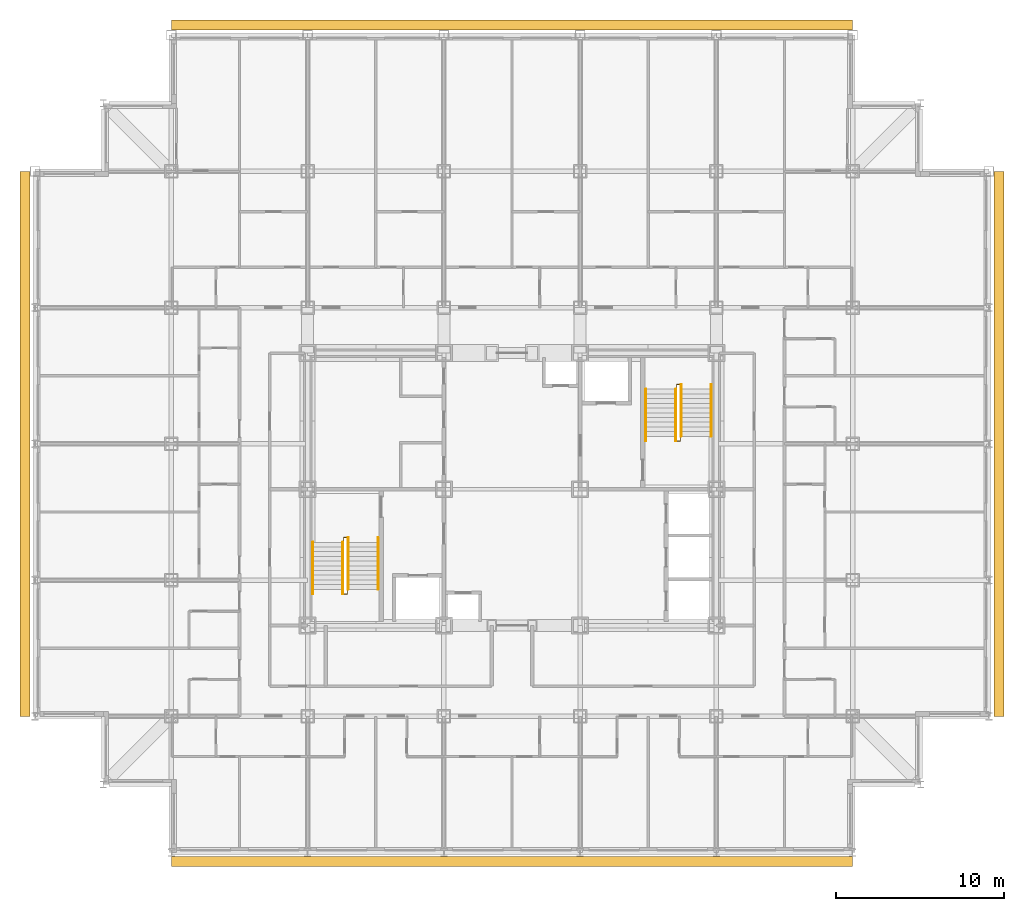
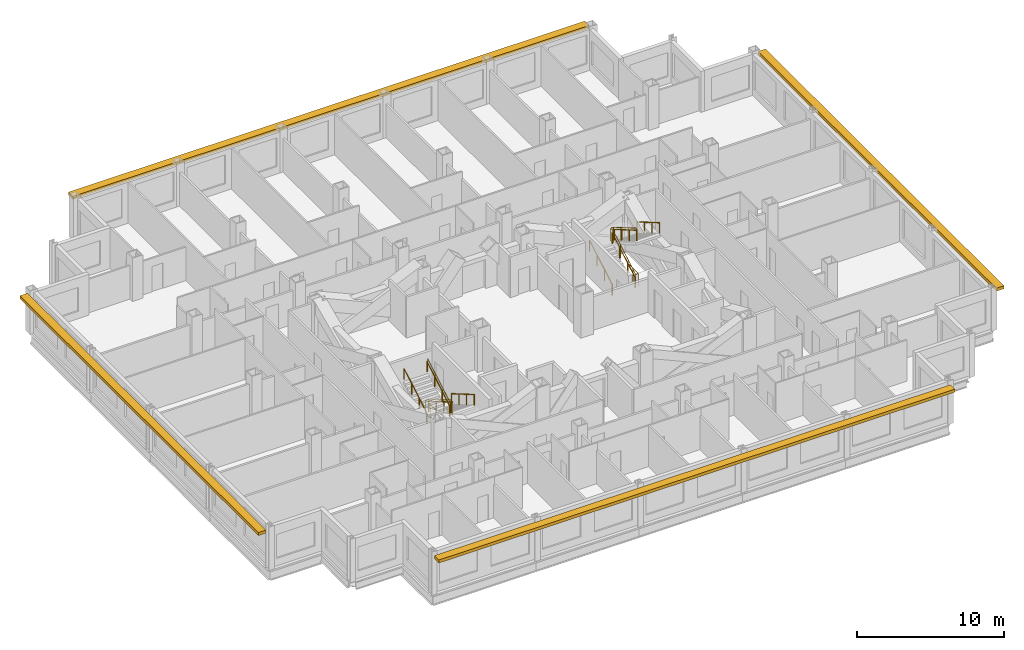
# One storey, part 12 of 12: 10 railings, 4 shading devices.
"""IFC4 building model written with IfcOpenShell, lengths in metres."""

import ifcopenshell
import ifcopenshell.guid

model = None  # the IFC model being written
_history = None  # IfcOwnerHistory: only IFC2X3 demands one
_inside = {}  # id of a spatial element -> (the spatial element, [elements in it])
_under = {}  # id of a project, library or spatial element -> (it, [spatial elements below it])
_declared = {}  # id of a project -> (the project, [libraries it declares])
_typed = {}  # id of a type object -> (the type object, [elements of that type])
_made_of = {}  # id of a material, layer set ... -> (it, [elements and type objects made of it])


def new_model(schema):
    """Start an empty IFC model of exactly this schema.

    Asked for "IFC4X3", IfcOpenShell would pick the latest addendum, in which some entities
    have other attributes; the version numbers below select the first issue.
    IFC2X3 requires an IfcOwnerHistory on every rooted entity: one is made here for all.
    """
    global model, _history
    if schema == "IFC4X3":
        model = ifcopenshell.file(schema_version=(4, 3, 0, 0))
    else:
        model = ifcopenshell.file(schema=schema)
    _inside.clear()
    _under.clear()
    _declared.clear()
    _typed.clear()
    _made_of.clear()
    _history = None
    if model.schema == "IFC2X3":
        org = make("IfcOrganization", Name="unknown")
        user = make(
            "IfcPersonAndOrganization",
            ThePerson=make("IfcPerson", FamilyName="unknown"),
            TheOrganization=org,
        )
        app = make(
            "IfcApplication",
            ApplicationDeveloper=org,
            Version="unknown",
            ApplicationFullName="unknown",
            ApplicationIdentifier="unknown",
        )
        _history = make(
            "IfcOwnerHistory",
            OwningUser=user,
            OwningApplication=app,
            ChangeAction="ADDED",
            CreationDate=0,
        )
    return model


def make(cls, **values):
    """One entity of the class cls with the attributes given. An attribute that is None is left unset."""
    return model.create_entity(
        cls, **{name: value for name, value in values.items() if value is not None}
    )


def rooted(cls, **values):
    """An entity with a GlobalId (a new one), such as an element, a storey or a relation."""
    return make(cls, GlobalId=ifcopenshell.guid.new(), OwnerHistory=_history, **values)


def si_unit(unit_type, name, prefix=None):
    """IfcSIUnit, for example si_unit("LENGTHUNIT", "METRE", prefix="MILLI")."""
    return make("IfcSIUnit", UnitType=unit_type, Prefix=prefix, Name=name)


def assignment(units):
    """IfcUnitAssignment: the units of a project."""
    return None if units is None else make("IfcUnitAssignment", Units=units)


def point(xyz):
    """IfcCartesianPoint."""
    return None if xyz is None else make("IfcCartesianPoint", Coordinates=xyz)


def direction(xyz):
    """IfcDirection."""
    return None if xyz is None else make("IfcDirection", DirectionRatios=xyz)


def frame(location, z_axis=None, x_axis=None):
    """IfcAxis2Placement3D, a coordinate frame: its origin and axes. An axis left out is left unset."""
    return make(
        "IfcAxis2Placement3D",
        Location=point(location),
        Axis=direction(z_axis),
        RefDirection=direction(x_axis),
    )


def frame_2d(location, x_axis=None):
    """IfcAxis2Placement2D, a coordinate frame in the plane: its origin and x axis."""
    return make(
        "IfcAxis2Placement2D", Location=point(location), RefDirection=direction(x_axis)
    )


def origin():
    """The frame at (0, 0, 0) with its axes left unset."""
    return frame((0.0, 0.0, 0.0))


def origin_2d():
    """The frame at (0, 0) in the plane with its x axis left unset."""
    return frame_2d((0.0, 0.0))


def place(relative_to, where):
    """IfcLocalPlacement: puts the frame where relative to a parent placement (None: the world)."""
    return make(
        "IfcLocalPlacement", PlacementRelTo=relative_to, RelativePlacement=where
    )


def context(
    kind, dimensions, precision=None, world=None, true_north=None, identifier=None
):
    """IfcGeometricRepresentationContext, for example the 3D "Model" context."""
    return make(
        "IfcGeometricRepresentationContext",
        ContextIdentifier=identifier,
        ContextType=kind,
        CoordinateSpaceDimension=dimensions,
        Precision=precision,
        WorldCoordinateSystem=world,
        TrueNorth=true_north,
    )


def subcontext(parent, identifier, kind, view, scale=None):
    """IfcGeometricRepresentationSubContext, for example "Body" below "Model"."""
    return make(
        "IfcGeometricRepresentationSubContext",
        ContextIdentifier=identifier,
        ContextType=kind,
        ParentContext=parent,
        TargetScale=scale,
        TargetView=view,
    )


def project(units=None, contexts=None):
    """IfcProject with its units and contexts."""
    return rooted(
        "IfcProject",
        Name="project",
        RepresentationContexts=contexts,
        UnitsInContext=assignment(units),
    )


def spatial(cls, under=None, at=None, **own):
    """A site, building, storey or space (cls), placed at a placement, below another one or the project."""
    s = rooted(cls, ObjectPlacement=at, **own)
    if under is not None:
        _under.setdefault(under.id(), (under, []))[1].append(s)
    return s


def profile(cls, at=None, kind="AREA", **sizes):
    """A parametric profile (cls). Its sizes go by their IFC names, for example OverallWidth=200.0."""
    return make(cls, ProfileType=kind, Position=at, **sizes)


def rectangle(**sizes):
    """IfcRectangleProfileDef."""
    return profile("IfcRectangleProfileDef", **sizes)


def circle(**sizes):
    """IfcCircleProfileDef."""
    return profile("IfcCircleProfileDef", **sizes)


def extrude(swept, where, along, depth):
    """IfcExtrudedAreaSolid: the profile swept, set in the frame where, extruded along a direction by depth."""
    return make(
        "IfcExtrudedAreaSolid",
        SweptArea=swept,
        Position=where,
        ExtrudedDirection=direction(along),
        Depth=depth,
    )


def shape(context_of_items, identifier, shape_type, items):
    """IfcShapeRepresentation: the items that make up one representation, for example the "Body"."""
    return make(
        "IfcShapeRepresentation",
        ContextOfItems=context_of_items,
        RepresentationIdentifier=identifier,
        RepresentationType=shape_type,
        Items=items,
    )


def material(Name=None, Category=None):
    """IfcMaterial."""
    return make("IfcMaterial", Name=Name, Category=Category)


def made_of(thing, what):
    """Note that an element or type object is made of a material, layer set ...; save() writes the relation."""
    if what is not None:
        _made_of.setdefault(what.id(), (what, []))[1].append(thing)
    return thing


def type_object(cls, material=None, **own):
    """A type object (cls), such as IfcWallType, which elements share."""
    return made_of(rooted(cls, **own), material)


def element(
    cls,
    number,
    at=None,
    inside=None,
    cuts=None,
    type_object=None,
    material=None,
    context=None,
    identifier="Body",
    shape_type=None,
    held_by="IfcProductDefinitionShape",
    body=None,
    shapes=None,
    **own,
):
    """One element of the class cls, such as IfcWall. Its Tag is "e" and its number.

    at: its placement. inside: the storey or other place that contains it. cuts: it is an
    opening in that element (IfcRelVoidsElement). A single representation is given by context,
    identifier, shape_type and body (its items); several are given by shapes. held_by: the class
    of the entity that holds the representations. save() writes the other relations.
    """
    e = rooted(cls, Tag="e%d" % number, ObjectPlacement=at, **own)
    if body is not None:
        shapes = [shape(context, identifier, shape_type, body)]
    if shapes is not None:
        e.Representation = make(held_by, Representations=shapes)
    if inside is not None:
        _inside.setdefault(inside.id(), (inside, []))[1].append(e)
    if cuts is not None:
        rooted(
            "IfcRelVoidsElement", RelatingBuildingElement=cuts, RelatedOpeningElement=e
        )
    if type_object is not None:
        _typed.setdefault(type_object.id(), (type_object, []))[1].append(e)
    return made_of(e, material)


def aggregate(whole, parts):
    """IfcRelAggregates: a whole, such as a stair, and the parts it consists of."""
    return rooted("IfcRelAggregates", RelatingObject=whole, RelatedObjects=parts)


def save(model, path):
    """Write the relations noted so far, then the file.

    IfcRelAggregates (storeys below a building ...), IfcRelContainedInSpatialStructure (elements
    in a storey), IfcRelDefinesByType, IfcRelAssociatesMaterial and IfcRelDeclares: one each for
    every whole, place, type object, material and project.
    """
    for whole, parts in _under.values():
        aggregate(whole, parts)
    for where, things in _inside.values():
        rooted(
            "IfcRelContainedInSpatialStructure",
            RelatedElements=things,
            RelatingStructure=where,
        )
    for kind, things in _typed.values():
        rooted("IfcRelDefinesByType", RelatedObjects=things, RelatingType=kind)
    for what, things in _made_of.values():
        rooted("IfcRelAssociatesMaterial", RelatedObjects=things, RelatingMaterial=what)
    for by, libraries in _declared.values():
        rooted("IfcRelDeclares", RelatingContext=by, RelatedDefinitions=libraries)
    model.write(path)


model = new_model("IFC4")

# Units and contexts
model_context = context("Model", 3, precision=1e-05, world=origin(), true_north=direction((0.0, 1.0)))
body_context = subcontext(model_context, "Body", "Model", "MODEL_VIEW")
ifc_project = project(units=[si_unit("LENGTHUNIT", "METRE"), si_unit("AREAUNIT", "SQUARE_METRE"), si_unit("VOLUMEUNIT", "CUBIC_METRE"), si_unit("PLANEANGLEUNIT", "RADIAN"), si_unit("MASSUNIT", "GRAM", prefix="KILO")], contexts=[model_context])

# Site, building, storey
site_placement = place(None, origin())
site = spatial("IfcSite", under=ifc_project, at=site_placement, CompositionType="ELEMENT")
building_placement = place(site_placement, origin())
building = spatial("IfcBuilding", under=site, at=building_placement, Name="Kopane Lantern Tower", CompositionType="ELEMENT")
storey_placement = place(building_placement, frame((0.0, 0.0, 170.39990234375)))
storey = spatial("IfcBuildingStorey", under=building, at=storey_placement, Name="L43", CompositionType="ELEMENT", Elevation=170.39990234375)

# Railings
ifc_material_1 = material(Name="Steel", Category="steel")
railing_type_1 = type_object("IfcRailingType", Name="STAIR GUARD 1100", PredefinedType="GUARDRAIL", material=ifc_material_1)
railing_1_placement = place(storey_placement, frame((18.35009765625, 28.1298828125, 0.0)))
element("IfcRailing", 1, at=railing_1_placement, inside=storey, type_object=railing_type_1, Name="ST1 well guard L43", PredefinedType="GUARDRAIL", context=body_context, shape_type="SweptSolid", body=[
    extrude(circle(Radius=0.02392578125, at=origin_2d()), frame((0.0, 0.0, 1.076171875), z_axis=(0.0, 1.0, 0.0), x_axis=(-1.0, 0.0, 0.0)), (0.0, 0.0, 1.0), 1.400146484375),
    extrude(circle(Radius=0.02392578125, at=origin_2d()), frame((0.0, 1.400146484375, 1.076171875), z_axis=(1.0, 0.0, 0.0), x_axis=(0.0, 1.0, 0.0)), (0.0, 0.0, 1.0), 0.199951171875),
    extrude(circle(Radius=0.02392578125, at=origin_2d()), frame((0.199951171875, 1.400146484375, 1.076171875), z_axis=(0.0, -0.863371556955, 0.504568681787), x_axis=(1.0, 0.0, 0.0)), (0.0, 0.0, 1.0), 3.5673828125),
    extrude(circle(Radius=0.02392578125, at=origin_2d()), frame((0.199951171875, -1.679931640625, 2.8759765625), z_axis=(0.0, -1.0, 0.0), x_axis=(1.0, 0.0, 0.0)), (0.0, 0.0, 1.0), 0.280029296875),
    extrude(circle(Radius=0.02392578125, at=origin_2d()), frame((0.199951171875, -1.9599609375, 2.8759765625), z_axis=(-1.0, 0.0, 0.0), x_axis=(0.0, -1.0, 0.0)), (0.0, 0.0, 1.0), 0.199951171875),
    extrude(circle(Radius=0.02392578125, at=origin_2d()), frame((0.0, -1.9599609375, 2.8759765625), z_axis=(0.0, 0.863371556955, 0.504568681787), x_axis=(-1.0, 0.0, 0.0)), (0.0, 0.0, 1.0), 3.5673828125),
    extrude(circle(Radius=0.02099609375, at=origin_2d()), origin(), (0.0, 0.0, 1.0), 1.052001953125),
    extrude(circle(Radius=0.02099609375, at=origin_2d()), frame((0.0, 0.7001953125, 0.0)), (0.0, 0.0, 1.0), 1.052001953125),
    extrude(circle(Radius=0.02099609375, at=origin_2d()), frame((0.0, 1.400146484375, 0.0)), (0.0, 0.0, 1.0), 1.052001953125),
    extrude(circle(Radius=0.02099609375, at=origin_2d()), frame((0.199951171875, 1.400146484375, 0.0)), (0.0, 0.0, 1.0), 1.052001953125),
    extrude(circle(Radius=0.02099609375, at=origin_2d()), frame((0.199951171875, 0.37353515625, 0.60009765625)), (0.0, 0.0, 1.0), 1.052001953125),
    extrude(circle(Radius=0.02099609375, at=origin_2d()), frame((0.199951171875, -0.6533203125, 1.199951171875)), (0.0, 0.0, 1.0), 1.052001953125),
    extrude(circle(Radius=0.02099609375, at=origin_2d()), frame((0.199951171875, -1.679931640625, 1.800048828125)), (0.0, 0.0, 1.0), 1.052001953125),
    extrude(circle(Radius=0.02099609375, at=origin_2d()), frame((0.199951171875, -1.9599609375, 1.800048828125)), (0.0, 0.0, 1.0), 1.052001953125),
    extrude(circle(Radius=0.02099609375, at=origin_2d()), frame((0.0, -1.9599609375, 1.800048828125)), (0.0, 0.0, 1.0), 1.052001953125),
    extrude(circle(Radius=0.02099609375, at=origin_2d()), frame((0.0, -0.933349609375, 2.400146484375)), (0.0, 0.0, 1.0), 1.052001953125),
    extrude(circle(Radius=0.02099609375, at=origin_2d()), frame((0.0, 0.093505859375, 3.0)), (0.0, 0.0, 1.0), 1.052001953125),
    extrude(circle(Radius=0.02099609375, at=origin_2d()), frame((0.0, 1.1201171875, 3.60009765625)), (0.0, 0.0, 1.0), 1.052001953125),
])
railing_2_placement = place(storey_placement, frame((38.35009765625, 36.669921875, 0.0)))
element("IfcRailing", 2, at=railing_2_placement, inside=storey, type_object=railing_type_1, Name="ST2 well guard L43", PredefinedType="GUARDRAIL", context=body_context, shape_type="SweptSolid", body=[
    extrude(circle(Radius=0.02392578125, at=origin_2d()), frame((0.0, 0.0, 1.076171875), z_axis=(0.0, -1.0, 0.0), x_axis=(1.0, 0.0, 0.0)), (0.0, 0.0, 1.0), 1.39990234375),
    extrude(circle(Radius=0.02392578125, at=origin_2d()), frame((0.0, -1.39990234375, 1.076171875), z_axis=(-1.0, 0.0, 0.0), x_axis=(0.0, -1.0, 0.0)), (0.0, 0.0, 1.0), 0.2001953125),
    extrude(circle(Radius=0.02392578125, at=origin_2d()), frame((-0.2001953125, -1.39990234375, 1.076171875), z_axis=(0.0, 0.863371556955, 0.504568681787), x_axis=(-1.0, 0.0, 0.0)), (0.0, 0.0, 1.0), 3.5673828125),
    extrude(circle(Radius=0.02392578125, at=origin_2d()), frame((-0.2001953125, 1.68017578125, 2.8759765625), z_axis=(0.0, 1.0, 0.0), x_axis=(-1.0, 0.0, 0.0)), (0.0, 0.0, 1.0), 0.27978515625),
    extrude(circle(Radius=0.02392578125, at=origin_2d()), frame((-0.2001953125, 1.9599609375, 2.8759765625), z_axis=(1.0, 0.0, 0.0), x_axis=(0.0, 1.0, 0.0)), (0.0, 0.0, 1.0), 0.2001953125),
    extrude(circle(Radius=0.02392578125, at=origin_2d()), frame((0.0, 1.9599609375, 2.8759765625), z_axis=(0.0, -0.863354132664, 0.504598495452), x_axis=(1.0, 0.0, 0.0)), (0.0, 0.0, 1.0), 3.5673828125),
    extrude(circle(Radius=0.02099609375, at=origin_2d()), origin(), (0.0, 0.0, 1.0), 1.052001953125),
    extrude(circle(Radius=0.02099609375, at=origin_2d()), frame((0.0, -0.699951171875, 0.0)), (0.0, 0.0, 1.0), 1.052001953125),
    extrude(circle(Radius=0.02099609375, at=origin_2d()), frame((0.0, -1.39990234375, 0.0)), (0.0, 0.0, 1.0), 1.052001953125),
    extrude(circle(Radius=0.02099609375, at=origin_2d()), frame((-0.2001953125, -1.39990234375, 0.0)), (0.0, 0.0, 1.0), 1.052001953125),
    extrude(circle(Radius=0.02099609375, at=origin_2d()), frame((-0.2001953125, -0.373291015625, 0.60009765625)), (0.0, 0.0, 1.0), 1.052001953125),
    extrude(circle(Radius=0.02099609375, at=origin_2d()), frame((-0.2001953125, 0.653564453125, 1.199951171875)), (0.0, 0.0, 1.0), 1.052001953125),
    extrude(circle(Radius=0.02099609375, at=origin_2d()), frame((-0.2001953125, 1.68017578125, 1.800048828125)), (0.0, 0.0, 1.0), 1.052001953125),
    extrude(circle(Radius=0.02099609375, at=origin_2d()), frame((-0.2001953125, 1.9599609375, 1.800048828125)), (0.0, 0.0, 1.0), 1.052001953125),
    extrude(circle(Radius=0.02099609375, at=origin_2d()), frame((0.0, 1.9599609375, 1.800048828125)), (0.0, 0.0, 1.0), 1.052001953125),
    extrude(circle(Radius=0.02099609375, at=origin_2d()), frame((0.0, 0.933349609375, 2.400146484375)), (0.0, 0.0, 1.0), 1.052001953125),
    extrude(circle(Radius=0.02099609375, at=origin_2d()), frame((0.0, -0.09326171875, 3.0)), (0.0, 0.0, 1.0), 1.052001953125),
    extrude(circle(Radius=0.02099609375, at=origin_2d()), frame((0.0, -1.119873046875, 3.60009765625)), (0.0, 0.0, 1.0), 1.052001953125),
])
ifc_material_2 = material(Name="Steel", Category="steel")
railing_type_2 = type_object("IfcRailingType", Name="STAIR HANDRAIL 900", PredefinedType="HANDRAIL", material=ifc_material_2)
for number, where, name in (
    (3, (20.389892578125, 29.530029296875, 0.0), "ST1 handrail L43 flight 1"),
    (4, (18.610107421875, 29.530029296875, 0.0), "ST1 handrail L43 flight 1"),
):
    element("IfcRailing", number, at=place(storey_placement, frame(where)), inside=storey, type_object=railing_type_2, Name=name, PredefinedType="HANDRAIL", context=body_context, shape_type="SweptSolid", body=[
        extrude(circle(Radius=0.02392578125, at=origin_2d()), frame((0.0, 0.0, 0.8759765625), z_axis=(0.0, -0.863371556955, 0.504568681787), x_axis=(1.0, 0.0, 0.0)), (0.0, 0.0, 1.0), 3.5673828125),
        extrude(circle(Radius=0.02099609375, at=origin_2d()), origin(), (0.0, 0.0, 1.0), 0.851806640625),
        extrude(circle(Radius=0.02099609375, at=origin_2d()), frame((0.0, -1.026611328125, 0.60009765625)), (0.0, 0.0, 1.0), 0.851806640625),
        extrude(circle(Radius=0.02099609375, at=origin_2d()), frame((0.0, -2.053466796875, 1.199951171875)), (0.0, 0.0, 1.0), 0.851806640625),
        extrude(circle(Radius=0.02099609375, at=origin_2d()), frame((0.0, -3.080078125, 1.800048828125)), (0.0, 0.0, 1.0), 0.851806640625),
    ])
for number, where, name in (
    (5, (16.510009765625, 26.169921875, 1.800048828125), "ST1 handrail L43 flight 2"),
    (6, (18.2900390625, 26.169921875, 1.800048828125), "ST1 handrail L43 flight 2"),
    (7, (36.31005859375, 35.27001953125, 0.0), "ST2 handrail L43 flight 1"),
    (8, (38.090087890625, 35.27001953125, 0.0), "ST2 handrail L43 flight 1"),
):
    element("IfcRailing", number, at=place(storey_placement, frame(where)), inside=storey, type_object=railing_type_2, Name=name, PredefinedType="HANDRAIL", context=body_context, shape_type="SweptSolid", body=[
        extrude(circle(Radius=0.02392578125, at=origin_2d()), frame((0.0, 0.0, 0.8759765625), z_axis=(0.0, 0.863371556955, 0.504568681787), x_axis=(-1.0, 0.0, 0.0)), (0.0, 0.0, 1.0), 3.5673828125),
        extrude(circle(Radius=0.02099609375, at=origin_2d()), origin(), (0.0, 0.0, 1.0), 0.851806640625),
        extrude(circle(Radius=0.02099609375, at=origin_2d()), frame((0.0, 1.026611328125, 0.60009765625)), (0.0, 0.0, 1.0), 0.851806640625),
        extrude(circle(Radius=0.02099609375, at=origin_2d()), frame((0.0, 2.053466796875, 1.199951171875)), (0.0, 0.0, 1.0), 0.851806640625),
        extrude(circle(Radius=0.02099609375, at=origin_2d()), frame((0.0, 3.080078125, 1.800048828125)), (0.0, 0.0, 1.0), 0.851806640625),
    ])
for number, where, name in (
    (9, (40.18994140625, 38.6298828125, 1.800048828125), "ST2 handrail L43 flight 2"),
    (10, (38.409912109375, 38.6298828125, 1.800048828125), "ST2 handrail L43 flight 2"),
):
    element("IfcRailing", number, at=place(storey_placement, frame(where)), inside=storey, type_object=railing_type_2, Name=name, PredefinedType="HANDRAIL", context=body_context, shape_type="SweptSolid", body=[
        extrude(circle(Radius=0.02392578125, at=origin_2d()), frame((0.0, 0.0, 0.8759765625), z_axis=(0.0, -0.863354132664, 0.504598495452), x_axis=(1.0, 0.0, 0.0)), (0.0, 0.0, 1.0), 3.5673828125),
        extrude(circle(Radius=0.02099609375, at=origin_2d()), origin(), (0.0, 0.0, 1.0), 0.851806640625),
        extrude(circle(Radius=0.02099609375, at=origin_2d()), frame((0.0, -1.026611328125, 0.60009765625)), (0.0, 0.0, 1.0), 0.851806640625),
        extrude(circle(Radius=0.02099609375, at=origin_2d()), frame((0.0, -2.05322265625, 1.199951171875)), (0.0, 0.0, 1.0), 0.851806640625),
        extrude(circle(Radius=0.02099609375, at=origin_2d()), frame((0.0, -3.079833984375, 1.800048828125)), (0.0, 0.0, 1.0), 0.851806640625),
    ])

# Shading devices
ifc_material_3 = material(Name="Terracotta rainscreen on light steel framing", Category="masonry")
shading_device_type = type_object("IfcShadingDeviceType", Name="SUNSHADE BAND SB1 600 TERRACOTTA", PredefinedType="USERDEFINED", material=ifc_material_3)
shading_device_1_placement = place(storey_placement, frame((28.35009765625, 10.2626953125, 3.0), z_axis=(0.0, 0.0, 1.0), x_axis=(1.0, 0.0, 0.0)))
element("IfcShadingDevice", 11, at=shading_device_1_placement, inside=storey, type_object=shading_device_type, Name="Sunshade band S L43", ObjectType="SUNSHADE BAND", PredefinedType="USERDEFINED", context=body_context, shape_type="SweptSolid", body=[
    extrude(rectangle(XDim=40.5, YDim=0.60009765625, at=origin_2d()), origin(), (0.0, 0.0, 1.0), 0.25),
])
shading_device_2_placement = place(storey_placement, frame((57.300048828125, 35.10009765625, 3.0), z_axis=(0.0, 0.0, 1.0), x_axis=(0.0, 1.0, 0.0)))
element("IfcShadingDevice", 12, at=shading_device_2_placement, inside=storey, type_object=shading_device_type, Name="Sunshade band E L43", ObjectType="SUNSHADE BAND", PredefinedType="USERDEFINED", context=body_context, shape_type="SweptSolid", body=[
    extrude(rectangle(XDim=32.39990234375, YDim=0.60009765625, at=origin_2d()), origin(), (0.0, 0.0, 1.0), 0.25),
])
shading_device_3_placement = place(storey_placement, frame((28.35009765625, 60.0, 3.0), z_axis=(0.0, 0.0, 1.0), x_axis=(-1.0, 0.0, 0.0)))
element("IfcShadingDevice", 13, at=shading_device_3_placement, inside=storey, type_object=shading_device_type, Name="Sunshade band N L43", ObjectType="SUNSHADE BAND", PredefinedType="USERDEFINED", context=body_context, shape_type="SweptSolid", body=[
    extrude(rectangle(XDim=40.5, YDim=0.60009765625, at=origin_2d()), origin(), (0.0, 0.0, 1.0), 0.25),
])
shading_device_4_placement = place(storey_placement, frame((-0.60009765625, 35.10009765625, 3.0), z_axis=(0.0, 0.0, 1.0), x_axis=(0.0, -1.0, 0.0)))
element("IfcShadingDevice", 14, at=shading_device_4_placement, inside=storey, type_object=shading_device_type, Name="Sunshade band W L43", ObjectType="SUNSHADE BAND", PredefinedType="USERDEFINED", context=body_context, shape_type="SweptSolid", body=[
    extrude(rectangle(XDim=32.39990234375, YDim=0.60009765625, at=origin_2d()), origin(), (0.0, 0.0, 1.0), 0.25),
])

save(model, "model.ifc")
